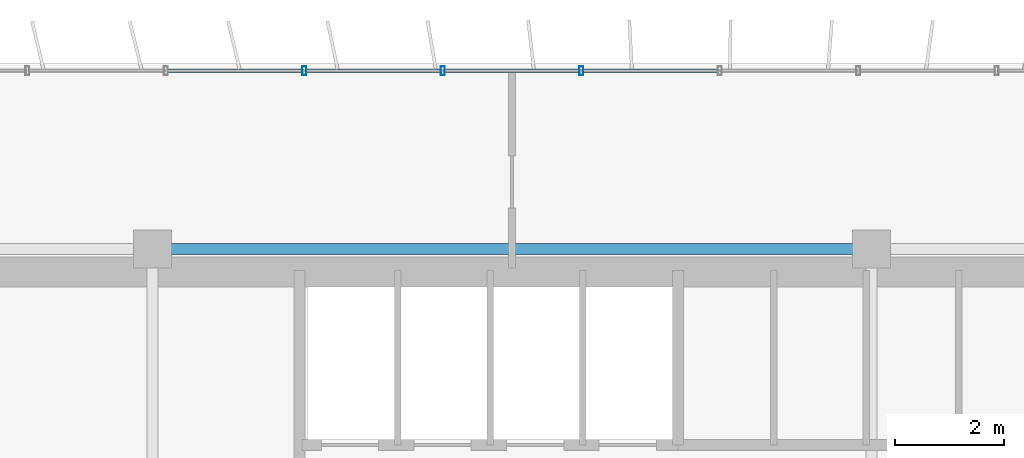
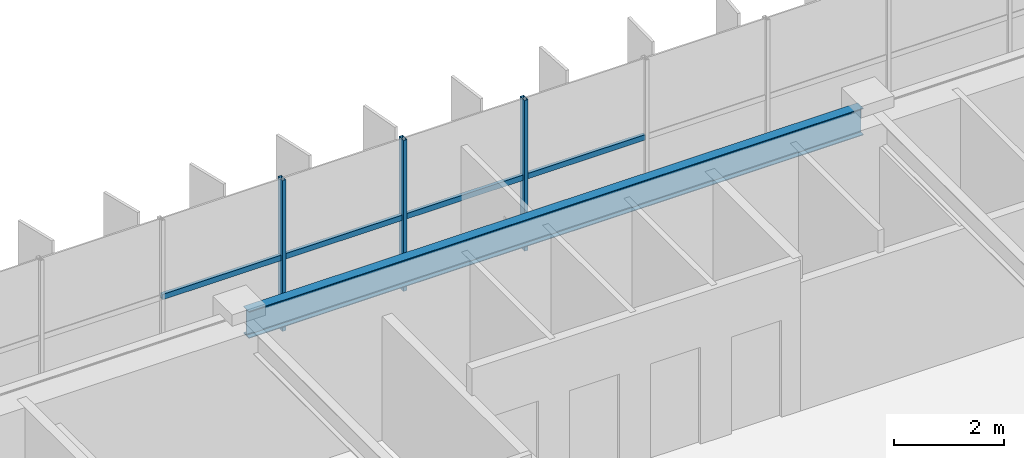
# One storey, part 7 of 20: 7 members, 1 beam, 1 element without a shape of its own.
"""IFC4 building model written with IfcOpenShell, lengths in metres."""

from ifc_helpers import new_model, si_unit, direction, frame, origin, origin_2d, place, context, subcontext, project, spatial, hollow_rectangle, i_section, extrude, source, transform, mapped, material, material_profile, profile_set, type_object, element, aggregate, save


model = new_model("IFC4")

# Units and contexts
model_context = context("Model", 3, precision=1e-05, world=origin(), true_north=direction((0.0, 1.0)))
body_context = subcontext(model_context, "Body", "Model", "MODEL_VIEW")
ifc_project = project(units=[si_unit("LENGTHUNIT", "METRE"), si_unit("AREAUNIT", "SQUARE_METRE"), si_unit("VOLUMEUNIT", "CUBIC_METRE"), si_unit("PLANEANGLEUNIT", "RADIAN"), si_unit("MASSUNIT", "GRAM", prefix="KILO")], contexts=[model_context])

# Site, building, storey
site_placement = place(None, origin())
site = spatial("IfcSite", under=ifc_project, at=site_placement, CompositionType="ELEMENT")
building_placement = place(site_placement, origin())
building = spatial("IfcBuilding", under=site, at=building_placement, Name="Trelvane Seafront Commons", CompositionType="ELEMENT")
storey_placement = place(building_placement, frame((0.0, 0.0, 171.699951171875)))
storey = spatial("IfcBuildingStorey", under=building, at=storey_placement, Name="L45", CompositionType="ELEMENT", Elevation=171.699951171875)

# Beam
ifc_material_1 = material(Name="Steel SM355 (S355)", Category="steel")
ifc_material_profile_1 = material_profile(ifc_material_1, i_section(OverallWidth=0.199951171875, OverallDepth=0.60009765625, WebThickness=0.010986328125, FlangeThickness=0.01708984375, at=origin_2d()), Name="H-600x200x11x17")
ifc_profile_set_1 = profile_set([ifc_material_profile_1], Name="Steel SM355 (S355)")
beam_type = type_object("IfcBeamType", Name="STR-SPD-H600", PredefinedType="SPANDREL", material=ifc_profile_set_1)
shared_shape_1 = source(origin(), body_context, "Body", "SweptSolid", [
    extrude(i_section(OverallWidth=0.199951171875, OverallDepth=0.60009765625, WebThickness=0.010986328125, FlangeThickness=0.01708984375, at=origin_2d()), origin(), (0.0, 0.0, 1.0), 12.89990234375),
])
beam_placement = place(storey_placement, frame((30.75, 45.10009765625, 3.050048828125), z_axis=(1.0, 0.0, 0.0), x_axis=(0.0, 1.0, 0.0)))
element("IfcBeam", 1, at=beam_placement, inside=storey, type_object=beam_type, Name="L45 Primary Girder G-25", PredefinedType="SPANDREL", context=body_context, shape_type="MappedRepresentation", body=[
    mapped(shared_shape_1, transform((0.0, 0.0, 0.0), x_axis=(1.0, 0.0, 0.0), y_axis=(0.0, 1.0, 0.0), z_axis=(0.0, 0.0, 1.0), scale=1.0)),
])

# Curtain wall, members
ifc_material_2 = material(Name="Anodised pale-silver aluminium", Category="aluminium")
curtain_wall_type = type_object("IfcCurtainWallType", Name="ARCH-CW5-UPTOWER", PredefinedType="NOTDEFINED", material=ifc_material_2)
curtain_wall_placement = place(storey_placement, origin())
curtain_wall = element("IfcCurtainWall", 2, at=curtain_wall_placement, inside=storey, type_object=curtain_wall_type, Name="CW-L45-0072", PredefinedType="NOTDEFINED")
ifc_material_profile_2 = material_profile(ifc_material_2, hollow_rectangle(XDim=0.070068359375, YDim=0.1201171875, WallThickness=0.00390625, at=origin_2d()), Name="TRAN-70x120x4")
ifc_profile_set_2 = profile_set([ifc_material_profile_2], Name="Anodised pale-silver aluminium")
member_type_1 = type_object("IfcMemberType", Name="ARCH-CW-TRAN-120", PredefinedType="USERDEFINED", material=ifc_profile_set_2)
shared_shape_2 = source(origin(), body_context, "Body", "SweptSolid", [
    extrude(hollow_rectangle(XDim=0.070068359375, YDim=0.1201171875, WallThickness=0.00390625, at=origin_2d()), origin(), (0.0, 0.0, 1.0), 2.51708984375),
])
member_1_placement = place(storey_placement, frame((30.859130859375, 48.3701171875, 1.608154296875), z_axis=(1.0, 0.0, 0.0), x_axis=(0.0, 1.0, 0.0)))
member_1 = element("IfcMember", 3, at=member_1_placement, type_object=member_type_1, Name="CW-L45-0072-T06", ObjectType="TRANSOM", PredefinedType="USERDEFINED", context=body_context, shape_type="MappedRepresentation", body=[
    mapped(shared_shape_2, transform((0.0, 0.0, 0.0), x_axis=(1.0, 0.0, 0.0), y_axis=(0.0, 1.0, 0.0), z_axis=(0.0, 0.0, 1.0), scale=1.0)),
])
member_2_placement = place(storey_placement, frame((35.94140625, 48.3701171875, 1.608154296875), z_axis=(1.0, 0.0, 0.0), x_axis=(0.0, 1.0, 0.0)))
member_2 = element("IfcMember", 4, at=member_2_placement, type_object=member_type_1, Name="CW-L45-0072-T08", ObjectType="TRANSOM", PredefinedType="USERDEFINED", context=body_context, shape_type="MappedRepresentation", body=[
    mapped(shared_shape_2, transform((0.0, 0.0, 0.0), x_axis=(1.0, 0.0, 0.0), y_axis=(0.0, 1.0, 0.0), z_axis=(0.0, 0.0, 1.0), scale=1.0)),
])
member_3_placement = place(storey_placement, frame((38.482666015625, 48.3701171875, 1.608154296875), z_axis=(1.0, 0.0, 0.0), x_axis=(0.0, 1.0, 0.0)))
member_3 = element("IfcMember", 5, at=member_3_placement, type_object=member_type_1, Name="CW-L45-0072-T09", ObjectType="TRANSOM", PredefinedType="USERDEFINED", context=body_context, shape_type="MappedRepresentation", body=[
    mapped(shared_shape_2, transform((0.0, 0.0, 0.0), x_axis=(1.0, 0.0, 0.0), y_axis=(0.0, 1.0, 0.0), z_axis=(0.0, 0.0, 1.0), scale=1.0)),
])
shared_shape_3 = source(origin(), body_context, "Body", "SweptSolid", [
    extrude(hollow_rectangle(XDim=0.070068359375, YDim=0.1201171875, WallThickness=0.00390625, at=origin_2d()), origin(), (0.0, 0.0, 1.0), 2.517333984375),
])
member_4_placement = place(storey_placement, frame((33.400146484375, 48.3701171875, 1.608154296875), z_axis=(1.0, 0.0, 0.0), x_axis=(0.0, 1.0, 0.0)))
member_4 = element("IfcMember", 6, at=member_4_placement, type_object=member_type_1, Name="CW-L45-0072-T07", ObjectType="TRANSOM", PredefinedType="USERDEFINED", context=body_context, shape_type="MappedRepresentation", body=[
    mapped(shared_shape_3, transform((0.0, 0.0, 0.0), x_axis=(1.0, 0.0, 0.0), y_axis=(0.0, 1.0, 0.0), z_axis=(0.0, 0.0, 1.0), scale=1.0)),
])
ifc_material_profile_3 = material_profile(ifc_material_2, hollow_rectangle(XDim=0.074951171875, YDim=0.159912109375, WallThickness=0.00390625, at=origin_2d()), Name="MULL-75x160x4")
ifc_profile_set_3 = profile_set([ifc_material_profile_3], Name="Anodised pale-silver aluminium")
member_type_2 = type_object("IfcMemberType", Name="ARCH-CW-MULL-160", PredefinedType="MULLION", material=ifc_profile_set_3)
shared_shape_4 = source(origin(), body_context, "Body", "SweptSolid", [
    extrude(hollow_rectangle(XDim=0.074951171875, YDim=0.159912109375, WallThickness=0.00390625, at=origin_2d()), origin(), (0.0, 0.0, 1.0), 3.35009765625),
])
member_5_placement = place(storey_placement, frame((33.38818359375, 48.3701171875, 0.0), z_axis=(0.0, 0.0, 1.0), x_axis=(1.0, 0.0, 0.0)))
member_5 = element("IfcMember", 7, at=member_5_placement, type_object=member_type_2, Name="CW-L45-0072-M07", PredefinedType="MULLION", context=body_context, shape_type="MappedRepresentation", body=[
    mapped(shared_shape_4, transform((0.0, 0.0, 0.0), x_axis=(1.0, 0.0, 0.0), y_axis=(0.0, 1.0, 0.0), z_axis=(0.0, 0.0, 1.0), scale=1.0)),
])
member_6_placement = place(storey_placement, frame((35.929443359375, 48.3701171875, 0.0), z_axis=(0.0, 0.0, 1.0), x_axis=(1.0, 0.0, 0.0)))
member_6 = element("IfcMember", 8, at=member_6_placement, type_object=member_type_2, Name="CW-L45-0072-M08", PredefinedType="MULLION", context=body_context, shape_type="MappedRepresentation", body=[
    mapped(shared_shape_4, transform((0.0, 0.0, 0.0), x_axis=(1.0, 0.0, 0.0), y_axis=(0.0, 1.0, 0.0), z_axis=(0.0, 0.0, 1.0), scale=1.0)),
])
member_7_placement = place(storey_placement, frame((38.470703125, 48.3701171875, 0.0), z_axis=(0.0, 0.0, 1.0), x_axis=(1.0, 0.0, 0.0)))
member_7 = element("IfcMember", 9, at=member_7_placement, type_object=member_type_2, Name="CW-L45-0072-M09", PredefinedType="MULLION", context=body_context, shape_type="MappedRepresentation", body=[
    mapped(shared_shape_4, transform((0.0, 0.0, 0.0), x_axis=(1.0, 0.0, 0.0), y_axis=(0.0, 1.0, 0.0), z_axis=(0.0, 0.0, 1.0), scale=1.0)),
])
aggregate(curtain_wall, [member_5, member_6, member_7, member_1, member_4, member_2, member_3])

save(model, "model.ifc")
